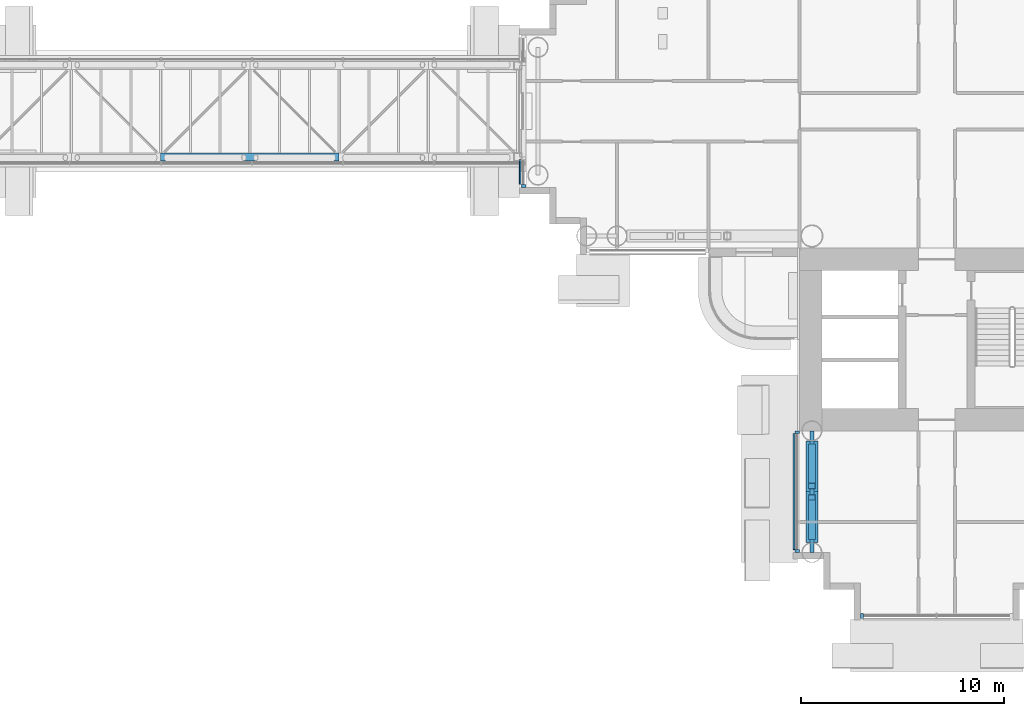
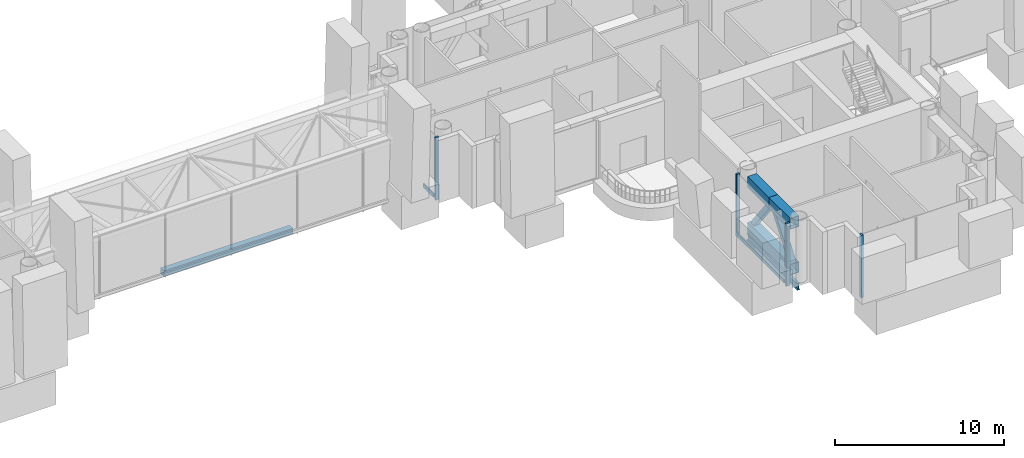
# One storey, part 6 of 27: 12 members, 1 beam, 3 elements without a shape of their own.
"""IFC4 building model written with IfcOpenShell, lengths in metres."""

from ifc_helpers import new_model, si_unit, direction, frame, origin, origin_2d, place, context, subcontext, project, spatial, rectangle, hollow_rectangle, i_section, extrude, material, layer, layer_set, material_profile, profile_set, type_object, element, aggregate, save


model = new_model("IFC4")

# Units and contexts
model_context = context("Model", 3, precision=1e-05, world=origin(), true_north=direction((0.0, 1.0)))
body_context = subcontext(model_context, "Body", "Model", "MODEL_VIEW")
ifc_project = project(units=[si_unit("LENGTHUNIT", "METRE"), si_unit("AREAUNIT", "SQUARE_METRE"), si_unit("VOLUMEUNIT", "CUBIC_METRE"), si_unit("PLANEANGLEUNIT", "RADIAN"), si_unit("MASSUNIT", "GRAM", prefix="KILO")], contexts=[model_context])

# Site, building, storey
site_placement = place(None, origin())
site = spatial("IfcSite", under=ifc_project, at=site_placement, CompositionType="ELEMENT")
building_placement = place(site_placement, origin())
building = spatial("IfcBuilding", under=site, at=building_placement, Name="Ipe Terrace Towers", CompositionType="ELEMENT")
storey_placement = place(building_placement, frame((0.0, 0.0, 72.10009765625)))
storey = spatial("IfcBuildingStorey", under=building, at=storey_placement, Name="L19", CompositionType="ELEMENT", Elevation=72.10009765625)

# Member
ifc_material_1 = material(Name="Steel S355", Category="steel")
ifc_material_profile_1 = material_profile(ifc_material_1, hollow_rectangle(XDim=0.39990234375, YDim=0.39990234375, WallThickness=0.02001953125, at=origin_2d()), Name="BRIDGE-CHORD BOX 400x400x20")
ifc_profile_set_1 = profile_set([ifc_material_profile_1], Name="Steel S355")
member_type_1 = type_object("IfcMemberType", Name="BRIDGE-CHORD BOX 400x400x20", PredefinedType="CHORD", material=ifc_profile_set_1)
member_1_placement = place(storey_placement, frame((-2.25, -2.25, -0.150146484375), z_axis=(1.0, 0.0, 0.0), x_axis=(0.0, 1.0, 0.0)))
element("IfcMember", 1, at=member_1_placement, inside=storey, type_object=member_type_1, Name="BR1-TSBC-002 bottom chord", PredefinedType="CHORD", context=body_context, shape_type="SweptSolid", body=[
    extrude(hollow_rectangle(XDim=0.39990234375, YDim=0.39990234375, WallThickness=0.02001953125, at=origin_2d()), origin(), (0.0, 0.0, 1.0), 8.800048828125),
])

# Beam
ifc_material_2 = material(Name="Steel S355", Category="steel")
ifc_material_profile_2 = material_profile(ifc_material_2, i_section(OverallWidth=0.199951171875, OverallDepth=0.449951171875, WebThickness=0.009033203125, FlangeThickness=0.013916015625, at=origin_2d()), Name="H-450x200x9x14")
ifc_profile_set_2 = profile_set([ifc_material_profile_2], Name="Steel S355")
beam_type = type_object("IfcBeamType", Name="H08 EDGE BEAM H-450x200x9x14", PredefinedType="BEAM", material=ifc_profile_set_2)
beam_placement = place(storey_placement, frame((29.85009765625, -15.75, -0.625), z_axis=(0.0, -1.0, 0.0), x_axis=(1.0, 0.0, 0.0)))
element("IfcBeam", 2, at=beam_placement, inside=storey, type_object=beam_type, Name="Edge beam T2-EB-C02-C04", PredefinedType="BEAM", context=body_context, shape_type="SweptSolid", body=[
    extrude(i_section(OverallWidth=0.199951171875, OverallDepth=0.449951171875, WebThickness=0.009033203125, FlangeThickness=0.013916015625, at=origin_2d()), origin(), (0.0, 0.0, 1.0), 6.0),
])

# Members
ifc_material_3 = material(Name="Steel S355", Category="steel")
ifc_material_profile_3 = material_profile(ifc_material_3, hollow_rectangle(XDim=0.35009765625, YDim=0.35009765625, WallThickness=0.02001953125, at=origin_2d()), Name="OUTRIGGER-BRACE BOX 350x350x20")
ifc_profile_set_3 = profile_set([ifc_material_profile_3], Name="Steel S355")
member_type_2 = type_object("IfcMemberType", Name="OUTRIGGER-BRACE BOX 350x350x20", PredefinedType="BRACE", material=ifc_profile_set_3)
for number, where, z_axis, x_axis, name in (
    (3, (29.85009765625, -16.528076171875, 0.77978515625), (0.0, -0.60773905456, 0.794136790209), (1.0, 0.0, 0.0), "T2-OR-L19-119 diagonal"),
    (4, (29.85009765625, -20.971923828125, 0.77978515625), (0.0, 0.60773905456, 0.794136790209), (-1.0, 0.0, 0.0), "T2-OR-L19-120 diagonal"),
):
    element("IfcMember", number, at=place(storey_placement, frame(where, z_axis=z_axis, x_axis=x_axis)), inside=storey, type_object=member_type_2, Name=name, PredefinedType="BRACE", context=body_context, shape_type="SweptSolid", body=[
        extrude(hollow_rectangle(XDim=0.35009765625, YDim=0.35009765625, WallThickness=0.02001953125, at=origin_2d()), origin(), (0.0, 0.0, 1.0), 3.198486328125),
    ])
ifc_material_4 = material(Name="Steel S355", Category="steel")
ifc_material_profile_4 = material_profile(ifc_material_4, hollow_rectangle(XDim=0.60009765625, YDim=0.800048828125, WallThickness=0.0400390625, at=origin_2d()), Name="OUTRIGGER-CHORD BOX 600x800x40")
ifc_profile_set_4 = profile_set([ifc_material_profile_4], Name="Steel S355")
member_type_3 = type_object("IfcMemberType", Name="OUTRIGGER-CHORD BOX 600x800x40", PredefinedType="CHORD", material=ifc_profile_set_4)
member_2_placement = place(storey_placement, frame((29.85009765625, -16.25, 0.39990234375), z_axis=(0.0, -1.0, 0.0), x_axis=(1.0, 0.0, 0.0)))
element("IfcMember", 5, at=member_2_placement, inside=storey, type_object=member_type_3, Name="T2-OR-L19-118 bottom chord", PredefinedType="CHORD", context=body_context, shape_type="SweptSolid", body=[
    extrude(hollow_rectangle(XDim=0.60009765625, YDim=0.800048828125, WallThickness=0.0400390625, at=origin_2d()), origin(), (0.0, 0.0, 1.0), 5.0),
])
for number, where, z_axis, x_axis, name in (
    (6, (29.85009765625, -16.25, 3.699951171875), (0.0, -1.0, 0.0), (1.0, 0.0, 0.0), "T2-OR-L19-121 top chord"),
    (7, (29.85009765625, -18.75, 3.699951171875), (0.0, -1.0, 0.0), (1.0, 0.0, 0.0), "T2-OR-L19-122 top chord"),
):
    element("IfcMember", number, at=place(storey_placement, frame(where, z_axis=z_axis, x_axis=x_axis)), inside=storey, type_object=member_type_3, Name=name, PredefinedType="CHORD", context=body_context, shape_type="SweptSolid", body=[
        extrude(hollow_rectangle(XDim=0.60009765625, YDim=0.800048828125, WallThickness=0.0400390625, at=origin_2d()), origin(), (0.0, 0.0, 1.0), 2.5),
    ])

# Curtain wall, member
ifc_material_5 = material(Name="Aluminium alloy 6063-T6", Category="aluminium")
ifc_layer = layer(ifc_material_5, 0.320068359375)
ifc_layer_set = layer_set([ifc_layer], Name="REFUGE FLOOR CURTAIN WALL")
curtain_wall_type = type_object("IfcCurtainWallType", Name="REFUGE FLOOR CURTAIN WALL", PredefinedType="NOTDEFINED", material=ifc_layer_set)
curtain_wall_1_placement = place(storey_placement, origin())
curtain_wall_1 = element("IfcCurtainWall", 8, at=curtain_wall_1_placement, inside=storey, type_object=curtain_wall_type, Name="T2-CW-L19-38c curtain wall", PredefinedType="NOTDEFINED")
ifc_material_6 = material(Name="Aluminium alloy 6063-T6", Category="aluminium")
ifc_material_profile_5 = material_profile(ifc_material_6, rectangle(XDim=0.239990234375, YDim=0.139892578125, at=origin_2d()), Name="REFUGE FLOOR CORNER MULLION 240 x 140")
ifc_profile_set_5 = profile_set([ifc_material_profile_5], Name="Aluminium alloy 6063-T6")
member_type_4 = type_object("IfcMemberType", Name="REFUGE FLOOR CORNER MULLION 240 x 140", PredefinedType="MULLION", material=ifc_profile_set_5)
member_3_placement = place(storey_placement, frame((15.6298828125, -3.679931640625, -0.300048828125), z_axis=(0.0, 0.0, 1.0), x_axis=(-1.0, 0.0, 0.0)))
member_3 = element("IfcMember", 9, at=member_3_placement, type_object=member_type_4, Name="T2-CW-L19-38c mullion 2", PredefinedType="MULLION", context=body_context, shape_type="SweptSolid", body=[
    extrude(rectangle(XDim=0.239990234375, YDim=0.139892578125, at=origin_2d()), origin(), (0.0, 0.0, 1.0), 4.5),
])

# Curtain wall, members
curtain_wall_2_placement = place(storey_placement, origin())
curtain_wall_2 = element("IfcCurtainWall", 10, at=curtain_wall_2_placement, inside=storey, type_object=curtain_wall_type, Name="T2-CW-L19-46b curtain wall", PredefinedType="NOTDEFINED")
member_4_placement = place(storey_placement, frame((29.1298828125, -15.821044921875, -0.300048828125), z_axis=(0.0, 0.0, 1.0), x_axis=(-1.0, 0.0, 0.0)))
member_4 = element("IfcMember", 11, at=member_4_placement, type_object=member_type_4, Name="T2-CW-L19-46b mullion 1", PredefinedType="MULLION", context=body_context, shape_type="SweptSolid", body=[
    extrude(rectangle(XDim=0.239990234375, YDim=0.139892578125, at=origin_2d()), origin(), (0.0, 0.0, 1.0), 4.5),
])
member_5_placement = place(storey_placement, frame((29.1298828125, -21.679931640625, -0.300048828125), z_axis=(0.0, 0.0, 1.0), x_axis=(-1.0, 0.0, 0.0)))
member_5 = element("IfcMember", 12, at=member_5_placement, type_object=member_type_4, Name="T2-CW-L19-46b mullion 2", PredefinedType="MULLION", context=body_context, shape_type="SweptSolid", body=[
    extrude(rectangle(XDim=0.239990234375, YDim=0.139892578125, at=origin_2d()), origin(), (0.0, 0.0, 1.0), 4.5),
])

# Curtain wall, member
curtain_wall_3_placement = place(storey_placement, origin())
curtain_wall_3 = element("IfcCurtainWall", 13, at=curtain_wall_3_placement, inside=storey, type_object=curtain_wall_type, Name="T2-CW-L19-51a curtain wall", PredefinedType="NOTDEFINED")
member_6_placement = place(storey_placement, frame((32.320068359375, -24.8701171875, -0.300048828125), z_axis=(0.0, 0.0, 1.0), x_axis=(0.0, -1.0, 0.0)))
member_6 = element("IfcMember", 14, at=member_6_placement, type_object=member_type_4, Name="T2-CW-L19-51a mullion 1", PredefinedType="MULLION", context=body_context, shape_type="SweptSolid", body=[
    extrude(rectangle(XDim=0.239990234375, YDim=0.139892578125, at=origin_2d()), origin(), (0.0, 0.0, 1.0), 4.5),
])
aggregate(curtain_wall_3, [member_6])

# Member
ifc_material_7 = material(Name="Aluminium alloy 6063-T6", Category="aluminium")
ifc_material_profile_6 = material_profile(ifc_material_7, rectangle(XDim=0.080078125, YDim=0.260009765625, at=origin_2d()), Name="REFUGE FLOOR TRANSOM 80 x 260")
ifc_profile_set_6 = profile_set([ifc_material_profile_6], Name="Aluminium alloy 6063-T6")
member_type_5 = type_object("IfcMemberType", Name="REFUGE FLOOR TRANSOM 80 x 260", PredefinedType="USERDEFINED", material=ifc_profile_set_6)
member_7_placement = place(storey_placement, frame((15.469970703125, -2.389892578125, 0.0), z_axis=(0.0, -1.0, 0.0), x_axis=(-1.0, 0.0, 0.0)))
member_7 = element("IfcMember", 15, at=member_7_placement, type_object=member_type_5, Name="T2-CW-L19-38c transom", ObjectType="TRANSOM", PredefinedType="USERDEFINED", context=body_context, shape_type="SweptSolid", body=[
    extrude(rectangle(XDim=0.080078125, YDim=0.260009765625, at=origin_2d()), origin(), (0.0, 0.0, 1.0), 1.22021484375),
])

aggregate(curtain_wall_1, [member_3, member_7])

member_8_placement = place(storey_placement, frame((28.969970703125, -15.89111328125, 0.0), z_axis=(0.0, -1.0, 0.0), x_axis=(-1.0, 0.0, 0.0)))
member_8 = element("IfcMember", 16, at=member_8_placement, type_object=member_type_5, Name="T2-CW-L19-46b transom", ObjectType="TRANSOM", PredefinedType="USERDEFINED", context=body_context, shape_type="SweptSolid", body=[
    extrude(rectangle(XDim=0.080078125, YDim=0.260009765625, at=origin_2d()), origin(), (0.0, 0.0, 1.0), 5.718994140625),
])

aggregate(curtain_wall_2, [member_4, member_5, member_8])

save(model, "model.ifc")
